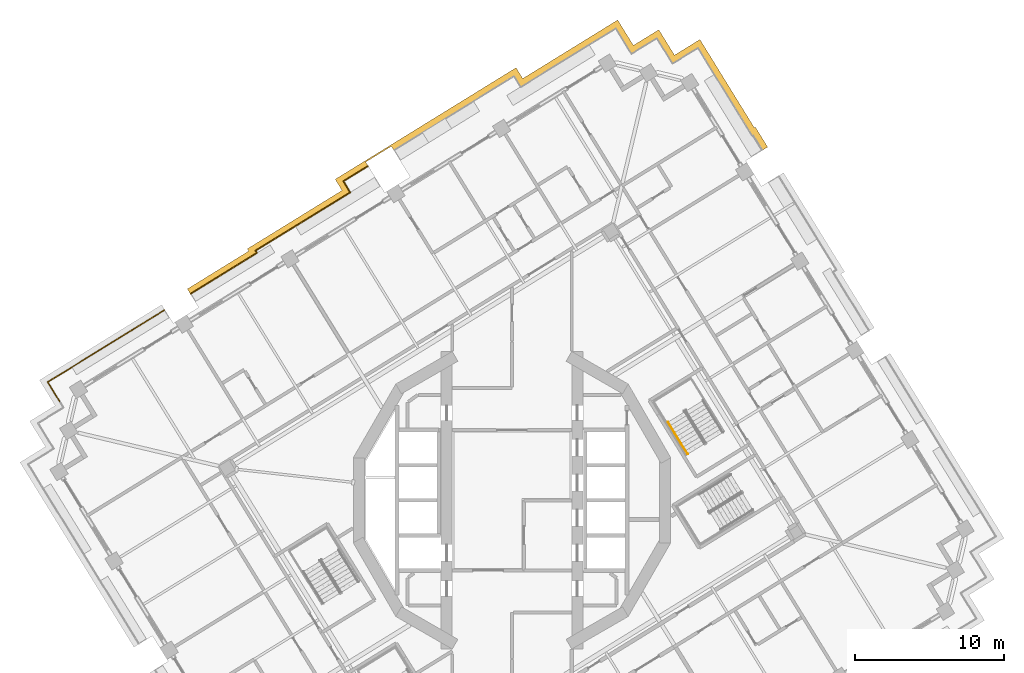
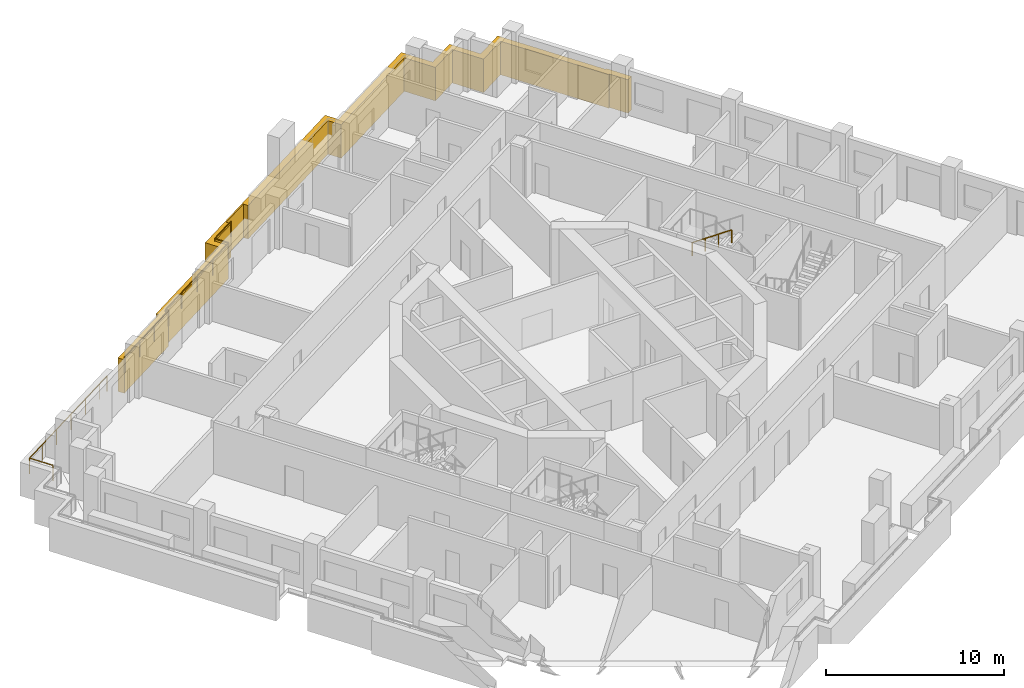
# One storey, part 18 of 21: 3 railings, 1 covering.
"""IFC4 building model written with IfcOpenShell, lengths in metres."""

from ifc_helpers import new_model, si_unit, direction, frame, origin, origin_2d, place, context, subcontext, project, spatial, polyline, circle, outline, extrude, material, type_object, element, save


model = new_model("IFC4")

# Units and contexts
model_context = context("Model", 3, precision=1e-05, world=origin(), true_north=direction((0.0, 1.0)))
body_context = subcontext(model_context, "Body", "Model", "MODEL_VIEW")
ifc_project = project(units=[si_unit("LENGTHUNIT", "METRE"), si_unit("AREAUNIT", "SQUARE_METRE"), si_unit("VOLUMEUNIT", "CUBIC_METRE"), si_unit("PLANEANGLEUNIT", "RADIAN"), si_unit("MASSUNIT", "GRAM", prefix="KILO")], contexts=[model_context])

# Site, building, storey
site_placement = place(None, origin())
site = spatial("IfcSite", under=ifc_project, at=site_placement, CompositionType="ELEMENT")
building_placement = place(site_placement, origin())
building = spatial("IfcBuilding", under=site, at=building_placement, Name="Cantera Rosa Tower", CompositionType="ELEMENT")
storey_placement = place(building_placement, frame((0.0, 0.0, 170.39990234375)))
storey = spatial("IfcBuildingStorey", under=building, at=storey_placement, Name="L37", CompositionType="ELEMENT", Elevation=170.39990234375)

# Railings
ifc_material_1 = material(Name="Stainless steel and laminated glass", Category="steel")
railing_type_1 = type_object("IfcRailingType", Name="GUARD 1100", PredefinedType="BALUSTRADE", material=ifc_material_1)
railing_1_placement = place(storey_placement, frame((-30.293212890625, 6.634521484375, 0.0)))
element("IfcRailing", 1, at=railing_1_placement, inside=storey, type_object=railing_type_1, Name="GUARD L37-5", PredefinedType="BALUSTRADE", context=body_context, shape_type="SweptSolid", body=[
    extrude(circle(Radius=0.030029296875, at=origin_2d()), frame((0.0, 0.0, 1.070068359375), z_axis=(-0.524869051004, 0.85118298814, 0.0), x_axis=(-0.85118298814, -0.524869051004, 0.0)), (0.0, 0.0, 1.0), 1.5),
    extrude(circle(Radius=0.030029296875, at=origin_2d()), frame((-0.787353515625, 1.27685546875, 1.070068359375), z_axis=(0.851138143202, 0.52494176933, 0.0), x_axis=(-0.52494176933, 0.851138143202, 0.0)), (0.0, 0.0, 1.0), 1.5),
    extrude(circle(Radius=0.030029296875, at=origin_2d()), frame((0.4892578125, 2.064208984375, 1.070068359375), z_axis=(0.851120753703, 0.524969963537, 0.0), x_axis=(-0.524969963537, 0.851120753703, 0.0)), (0.0, 0.0, 1.0), 6.820068359375),
    extrude(circle(Radius=0.030029296875, at=origin_2d()), frame((6.2939453125, 5.64453125, 1.070068359375), z_axis=(0.851089370259, 0.525020841331, 0.0), x_axis=(-0.525020841331, 0.851089370259, 0.0)), (0.0, 0.0, 1.0), 0.8701171875),
    extrude(circle(Radius=0.02490234375, at=origin_2d()), origin(), (0.0, 0.0, 1.0), 1.0400390625),
    extrude(circle(Radius=0.02490234375, at=origin_2d()), frame((-0.787353515625, 1.27685546875, 0.0)), (0.0, 0.0, 1.0), 1.0400390625),
    extrude(circle(Radius=0.02490234375, at=origin_2d()), frame((0.4892578125, 2.064208984375, 0.0)), (0.0, 0.0, 1.0), 1.0400390625),
    extrude(circle(Radius=0.02490234375, at=origin_2d()), frame((1.9404296875, 2.959228515625, 0.0)), (0.0, 0.0, 1.0), 1.0400390625),
    extrude(circle(Radius=0.02490234375, at=origin_2d()), frame((3.3916015625, 3.8544921875, 0.0)), (0.0, 0.0, 1.0), 1.0400390625),
    extrude(circle(Radius=0.02490234375, at=origin_2d()), frame((4.8427734375, 4.74951171875, 0.0)), (0.0, 0.0, 1.0), 1.0400390625),
    extrude(circle(Radius=0.02490234375, at=origin_2d()), frame((6.2939453125, 5.64453125, 0.0)), (0.0, 0.0, 1.0), 1.0400390625),
    extrude(circle(Radius=0.02490234375, at=origin_2d()), frame((7.034423828125, 6.101318359375, 0.0)), (0.0, 0.0, 1.0), 1.0400390625),
])
railing_2_placement = place(storey_placement, frame((-21.505615234375, 13.817138671875, 0.0)))
element("IfcRailing", 2, at=railing_2_placement, inside=storey, type_object=railing_type_1, Name="GUARD L37-7", PredefinedType="BALUSTRADE", context=body_context, shape_type="SweptSolid", body=[
    extrude(circle(Radius=0.030029296875, at=origin_2d()), frame((0.0, 0.0, 1.070068359375), z_axis=(0.850339408664, 0.52623463405, 0.0), x_axis=(-0.52623463405, 0.850339408664, 0.0)), (0.0, 0.0, 1.0), 0.070068359375),
    extrude(circle(Radius=0.030029296875, at=origin_2d()), frame((0.0595703125, 0.036865234375, 1.070068359375), z_axis=(0.85112174284, 0.52496835987, 0.0), x_axis=(-0.52496835987, 0.85112174284, 0.0)), (0.0, 0.0, 1.0), 5.14404296875),
    extrude(circle(Radius=0.030029296875, at=origin_2d()), frame((4.437744140625, 2.7373046875, 1.070068359375), z_axis=(-0.525256814591, 0.850943757675, 0.0), x_axis=(-0.850943757675, -0.525256814591, 0.0)), (0.0, 0.0, 1.0), 0.17626953125),
    extrude(circle(Radius=0.030029296875, at=origin_2d()), frame((4.34521484375, 2.88720703125, 1.070068359375), z_axis=(0.851123002041, 0.524966318344, 0.0), x_axis=(-0.524966318344, 0.851123002041, 0.0)), (0.0, 0.0, 1.0), 7.444091796875),
    extrude(circle(Radius=0.030029296875, at=origin_2d()), frame((10.68115234375, 6.795166015625, 1.070068359375), z_axis=(-0.524952661105, 0.851131425573, 0.0), x_axis=(-0.851131425573, -0.524952661105, 0.0)), (0.0, 0.0, 1.0), 0.875732421875),
    extrude(circle(Radius=0.030029296875, at=origin_2d()), frame((10.221435546875, 7.54052734375, 1.070068359375), z_axis=(0.851095190476, 0.525011406304, 0.0), x_axis=(-0.525011406304, 0.851095190476, 0.0)), (0.0, 0.0, 1.0), 1.921875),
    extrude(circle(Radius=0.02490234375, at=origin_2d()), origin(), (0.0, 0.0, 1.0), 1.0400390625),
    extrude(circle(Radius=0.02490234375, at=origin_2d()), frame((0.0595703125, 0.036865234375, 0.0)), (0.0, 0.0, 1.0), 1.0400390625),
    extrude(circle(Radius=0.02490234375, at=origin_2d()), frame((1.51904296875, 0.93701171875, 0.0)), (0.0, 0.0, 1.0), 1.0400390625),
    extrude(circle(Radius=0.02490234375, at=origin_2d()), frame((2.978271484375, 1.837158203125, 0.0)), (0.0, 0.0, 1.0), 1.0400390625),
    extrude(circle(Radius=0.02490234375, at=origin_2d()), frame((4.437744140625, 2.7373046875, 0.0)), (0.0, 0.0, 1.0), 1.0400390625),
    extrude(circle(Radius=0.02490234375, at=origin_2d()), frame((4.34521484375, 2.88720703125, 0.0)), (0.0, 0.0, 1.0), 1.0400390625),
    extrude(circle(Radius=0.02490234375, at=origin_2d()), frame((5.92919921875, 3.8642578125, 0.0)), (0.0, 0.0, 1.0), 1.0400390625),
    extrude(circle(Radius=0.02490234375, at=origin_2d()), frame((7.51318359375, 4.84130859375, 0.0)), (0.0, 0.0, 1.0), 1.0400390625),
    extrude(circle(Radius=0.02490234375, at=origin_2d()), frame((9.09716796875, 5.818115234375, 0.0)), (0.0, 0.0, 1.0), 1.0400390625),
    extrude(circle(Radius=0.02490234375, at=origin_2d()), frame((10.68115234375, 6.795166015625, 0.0)), (0.0, 0.0, 1.0), 1.0400390625),
    extrude(circle(Radius=0.02490234375, at=origin_2d()), frame((10.221435546875, 7.54052734375, 0.0)), (0.0, 0.0, 1.0), 1.0400390625),
    extrude(circle(Radius=0.02490234375, at=origin_2d()), frame((11.857177734375, 8.549560546875, 0.0)), (0.0, 0.0, 1.0), 1.0400390625),
])
ifc_material_2 = material(Name="Steel S355J2 (EN 10025-2)", Category="steel")
railing_type_2 = type_object("IfcRailingType", Name="STAIR HANDRAIL 900", PredefinedType="HANDRAIL", material=ifc_material_2)
railing_3_placement = place(storey_placement, frame((10.441650390625, 5.2314453125, 2.090087890625)))
element("IfcRailing", 3, at=railing_3_placement, inside=storey, type_object=railing_type_2, Name="L37 ST-31 stair handrail 2", PredefinedType="HANDRAIL", context=body_context, shape_type="SweptSolid", body=[
    extrude(circle(Radius=0.02392578125, at=origin_2d()), frame((0.0, 0.0, 0.8759765625), z_axis=(0.434427613125, -0.704271375033, 0.561493080334), x_axis=(0.851102330005, 0.524999832248, 0.0)), (0.0, 0.0, 1.0), 3.04541015625),
    extrude(circle(Radius=0.02099609375, at=origin_2d()), origin(), (0.0, 0.0, 1.0), 0.851806640625),
    extrude(circle(Radius=0.02099609375, at=origin_2d()), frame((0.44091796875, -0.71484375, 0.570068359375)), (0.0, 0.0, 1.0), 0.851806640625),
    extrude(circle(Radius=0.02099609375, at=origin_2d()), frame((0.882080078125, -1.429931640625, 1.139892578125)), (0.0, 0.0, 1.0), 0.851806640625),
    extrude(circle(Radius=0.02099609375, at=origin_2d()), frame((1.322998046875, -2.144775390625, 1.7099609375)), (0.0, 0.0, 1.0), 0.851806640625),
])

# Covering
ifc_material_3 = material(Name="Cantera stone", Category="masonry")
covering_type = type_object("IfcCoveringType", Name="TRAY FASCIA 400", PredefinedType="CLADDING", material=ifc_material_3)
covering_placement = place(storey_placement, frame((0.0, 0.0, -1.39990234375)))
element("IfcCovering", 4, at=covering_placement, inside=storey, type_object=covering_type, Name="TRAY FASCIA L37-03", PredefinedType="CLADDING", context=body_context, shape_type="SweptSolid", body=[
    extrude(outline(polyline([(-21.656005859375, 14.1943359375), (-17.618408203125, 16.684814453125), (-17.7109375, 16.834716796875), (-11.375, 20.742919921875), (-11.834716796875, 21.48828125), (0.271484375, 28.955322265625), (0.718505859375, 28.230224609375), (5.28759765625, 31.04833984375), (7.074951171875, 32.15087890625), (8.124755859375, 30.44873046875), (9.8271484375, 31.49853515625), (10.876953125, 29.79638671875), (12.579345703125, 30.84619140625), (13.681640625, 29.05908203125), (16.222900390625, 24.939208984375), (16.29052734375, 24.98095703125), (17.114501953125, 23.64501953125), (16.774169921875, 23.43505859375), (16.16015625, 24.4306640625), (16.09228515625, 24.388916015625), (13.34130859375, 28.848876953125), (12.44873046875, 30.2958984375), (11.001953125, 29.4033203125), (10.74658203125, 29.245849609375), (10.589111328125, 29.501220703125), (9.696533203125, 30.9482421875), (8.249755859375, 30.0556640625), (7.994384765625, 29.898193359375), (7.8369140625, 30.153564453125), (6.9443359375, 31.600341796875), (5.49755859375, 30.7080078125), (0.588134765625, 27.679931640625), (0.140869140625, 28.40478515625), (-7.912109375, 23.4375), (-8.068603515625, 23.69140625), (-8.0693359375, 23.692138671875), (-8.06982421875, 23.69287109375), (-8.070556640625, 23.693603515625), (-8.0712890625, 23.6943359375), (-8.072265625, 23.69482421875), (-8.072998046875, 23.6953125), (-8.073974609375, 23.695556640625), (-8.074951171875, 23.69580078125), (-8.075927734375, 23.696044921875), (-8.076904296875, 23.696044921875), (-8.077880859375, 23.696044921875), (-8.078857421875, 23.696044921875), (-8.079833984375, 23.69580078125), (-8.080810546875, 23.695556640625), (-8.08154296875, 23.695068359375), (-8.08251953125, 23.694580078125), (-9.78466796875, 22.644775390625), (-9.785400390625, 22.64404296875), (-9.786376953125, 22.6435546875), (-9.786865234375, 22.642822265625), (-9.78759765625, 22.64208984375), (-9.7880859375, 22.64111328125), (-9.78857421875, 22.640380859375), (-9.788818359375, 22.639404296875), (-9.7890625, 22.638427734375), (-9.789306640625, 22.637451171875), (-9.78955078125, 22.636474609375), (-9.78955078125, 22.635498046875), (-9.789306640625, 22.634521484375), (-9.7890625, 22.633544921875), (-9.788818359375, 22.632568359375), (-9.788330078125, 22.6318359375), (-9.7880859375, 22.630859375), (-9.63134765625, 22.377197265625), (-11.2841796875, 21.357666015625), (-10.824462890625, 20.6123046875), (-17.160400390625, 16.704345703125), (-17.06787109375, 16.554443359375), (-21.446044921875, 13.85400390625), (-21.5224609375, 13.806640625), (-21.732666015625, 14.147216796875), (-21.656005859375, 14.1943359375)])), origin(), (0.0, 0.0, 1.0), 2.300048828125),
])

save(model, "model.ifc")
